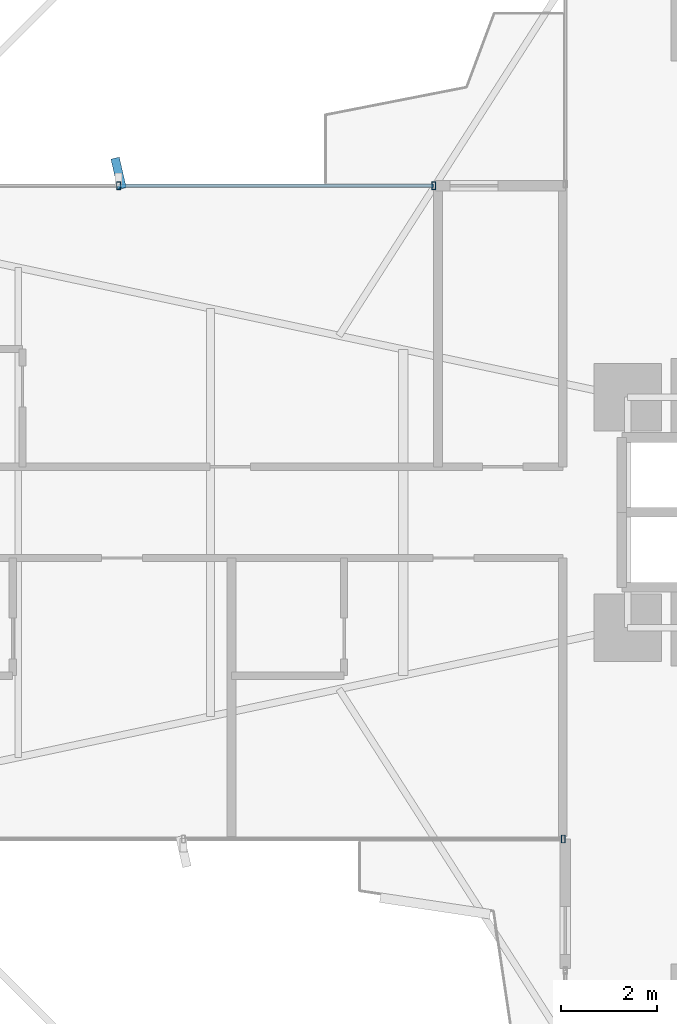
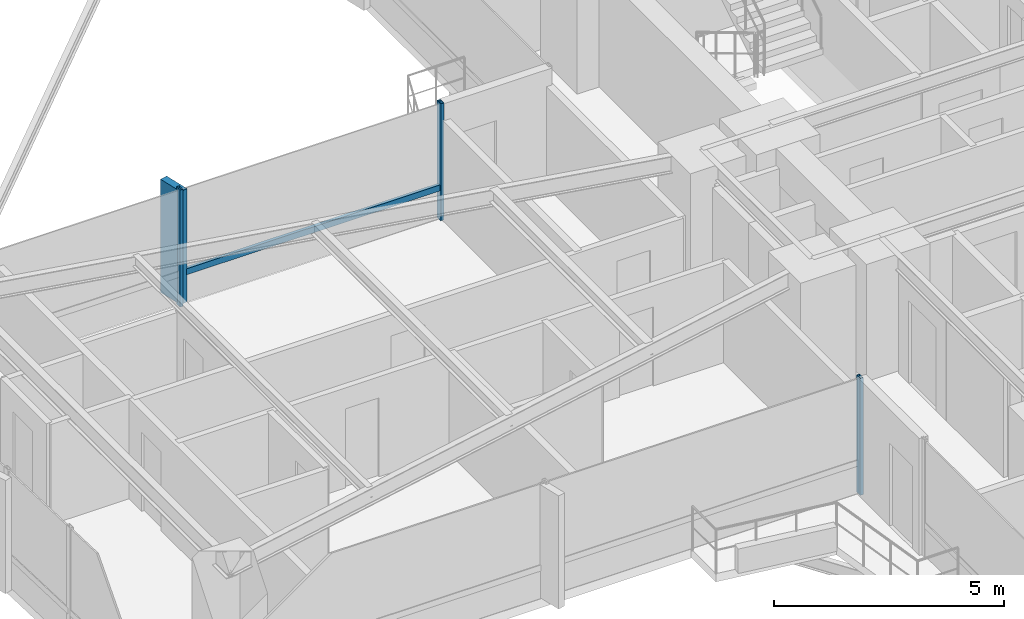
# One storey, part 10 of 26: 5 members, 2 elements without a shape of their own.
"""IFC4 building model written with IfcOpenShell, lengths in metres."""

from ifc_helpers import new_model, si_unit, direction, frame, origin, origin_2d, place, context, subcontext, project, spatial, rectangle, hollow_rectangle, extrude, source, transform, mapped, material, material_profile, profile_set, type_object, element, aggregate, save


model = new_model("IFC4")

# Units and contexts
model_context = context("Model", 3, precision=1e-05, world=origin(), true_north=direction((0.0, 1.0)))
body_context = subcontext(model_context, "Body", "Model", "MODEL_VIEW")
ifc_project = project(units=[si_unit("LENGTHUNIT", "METRE"), si_unit("AREAUNIT", "SQUARE_METRE"), si_unit("VOLUMEUNIT", "CUBIC_METRE"), si_unit("PLANEANGLEUNIT", "RADIAN"), si_unit("MASSUNIT", "GRAM", prefix="KILO")], contexts=[model_context])

# Site, building, storey
site_placement = place(None, origin())
site = spatial("IfcSite", under=ifc_project, at=site_placement, CompositionType="ELEMENT")
building_placement = place(site_placement, origin())
building = spatial("IfcBuilding", under=site, at=building_placement, Name="Sahyath Konkavel Grand Hotel", CompositionType="ELEMENT")
storey_placement = place(building_placement, frame((0.0, 0.0, 26.449951171875)))
storey = spatial("IfcBuildingStorey", under=building, at=storey_placement, Name="L06", CompositionType="ELEMENT", Elevation=26.449951171875)

# Curtain wall, members
ifc_material_1 = material(Name="Anodised Bronze Aluminium & Low-E Glazing", Category="aluminium")
curtain_wall_type = type_object("IfcCurtainWallType", Name="CW-ZONE1", PredefinedType="NOTDEFINED", material=ifc_material_1)
curtain_wall_1_placement = place(storey_placement, origin())
curtain_wall_1 = element("IfcCurtainWall", 1, at=curtain_wall_1_placement, inside=storey, type_object=curtain_wall_type, Name="L06 Unitised Curtain Wall F16", PredefinedType="NOTDEFINED")
ifc_material_2 = material(Name="Warm Buff Sandstone Cladding on Concrete C50/60", Category="masonry")
ifc_material_profile_1 = material_profile(ifc_material_2, rectangle(XDim=0.179931640625, YDim=0.64990234375, at=origin_2d()), Name="FIN 180x650")
ifc_profile_set_1 = profile_set([ifc_material_profile_1], Name="Warm Buff Sandstone Cladding on Concrete C50/60")
member_type_1 = type_object("IfcMemberType", Name="FIN-SANDSTONE-650", PredefinedType="MULLION", material=ifc_profile_set_1)
shared_shape_1 = source(origin(), body_context, "Body", "SweptSolid", [
    extrude(rectangle(XDim=0.179931640625, YDim=0.64990234375, at=origin_2d()), origin(), (0.0, 0.0, 1.0), 3.010009765625),
])
member_1_placement = place(storey_placement, frame((-16.10009765625, 7.06005859375, 0.050048828125), z_axis=(0.0, 0.0, 1.0), x_axis=(0.974644167091, 0.223760469153, 0.0)))
member_1 = element("IfcMember", 2, at=member_1_placement, type_object=member_type_1, Name="L06 Sandstone Vertical Solar Fin FIN F16-1", PredefinedType="MULLION", context=body_context, shape_type="MappedRepresentation", body=[
    mapped(shared_shape_1, transform((0.0, 0.0, 0.0), scale=1.0)),
])
ifc_material_3 = material(Name="Anodised Bronze Aluminium", Category="aluminium")
ifc_material_profile_2 = material_profile(ifc_material_3, hollow_rectangle(XDim=0.080078125, YDim=0.159912109375, WallThickness=0.006103515625, at=origin_2d()), Name="RHS 160x80x6")
ifc_profile_set_2 = profile_set([ifc_material_profile_2], Name="Anodised Bronze Aluminium")
member_type_2 = type_object("IfcMemberType", Name="CW-MUL-160", PredefinedType="MULLION", material=ifc_profile_set_2)
shared_shape_2 = source(origin(), body_context, "Body", "SweptSolid", [
    extrude(hollow_rectangle(XDim=0.080078125, YDim=0.159912109375, WallThickness=0.006103515625, at=origin_2d()), origin(), (0.0, 0.0, 1.0), 3.110107421875),
])
member_2_placement = place(storey_placement, frame((-9.5400390625, 6.800048828125, 0.0), z_axis=(0.0, 0.0, 1.0), x_axis=(1.0, 0.0, 0.0)))
member_2 = element("IfcMember", 3, at=member_2_placement, type_object=member_type_2, Name="L06 Curtain Wall Mullion F16-0", PredefinedType="MULLION", context=body_context, shape_type="MappedRepresentation", body=[
    mapped(shared_shape_2, transform((0.0, 0.0, 0.0), scale=1.0)),
])
member_3_placement = place(storey_placement, frame((-16.10009765625, 6.800048828125, 0.0), z_axis=(0.0, 0.0, 1.0), x_axis=(1.0, 0.0, 0.0)))
member_3 = element("IfcMember", 4, at=member_3_placement, type_object=member_type_2, Name="L06 Curtain Wall Mullion F16-1", PredefinedType="MULLION", context=body_context, shape_type="MappedRepresentation", body=[
    mapped(shared_shape_2, transform((0.0, 0.0, 0.0), scale=1.0)),
])

# Curtain wall, member
curtain_wall_2_placement = place(storey_placement, origin())
curtain_wall_2 = element("IfcCurtainWall", 5, at=curtain_wall_2_placement, inside=storey, type_object=curtain_wall_type, Name="L06 Unitised Curtain Wall F23", PredefinedType="NOTDEFINED")
member_4_placement = place(storey_placement, frame((-6.840087890625, -6.800048828125, 0.0), z_axis=(0.0, 0.0, 1.0), x_axis=(1.0, 0.0, 0.0)))
member_4 = element("IfcMember", 6, at=member_4_placement, type_object=member_type_2, Name="L06 Curtain Wall Mullion F23-2", PredefinedType="MULLION", context=body_context, shape_type="MappedRepresentation", body=[
    mapped(shared_shape_2, transform((0.0, 0.0, 0.0), scale=1.0)),
])
aggregate(curtain_wall_2, [member_4])

# Member
ifc_material_profile_3 = material_profile(ifc_material_3, hollow_rectangle(XDim=0.080078125, YDim=0.159912109375, WallThickness=0.006103515625, at=origin_2d()), Name="RHS 160x80x6")
ifc_profile_set_3 = profile_set([ifc_material_profile_3], Name="Anodised Bronze Aluminium")
member_type_3 = type_object("IfcMemberType", Name="CW-TRN-160", PredefinedType="USERDEFINED", material=ifc_profile_set_3)
shared_shape_3 = source(origin(), body_context, "Body", "SweptSolid", [
    extrude(hollow_rectangle(XDim=0.080078125, YDim=0.159912109375, WallThickness=0.006103515625, at=origin_2d()), origin(), (0.0, 0.0, 1.0), 6.56005859375),
])
member_5_placement = place(storey_placement, frame((-9.5400390625, 6.800048828125, 0.85009765625), z_axis=(-1.0, 0.0, 0.0), x_axis=(0.0, -1.0, 0.0)))
member_5 = element("IfcMember", 7, at=member_5_placement, type_object=member_type_3, Name="L06 Curtain Wall Transom F16-0-spandrel", ObjectType="TRANSOM", PredefinedType="USERDEFINED", context=body_context, shape_type="MappedRepresentation", body=[
    mapped(shared_shape_3, transform((0.0, 0.0, 0.0), scale=1.0)),
])

aggregate(curtain_wall_1, [member_2, member_3, member_1, member_5])

save(model, "model.ifc")
